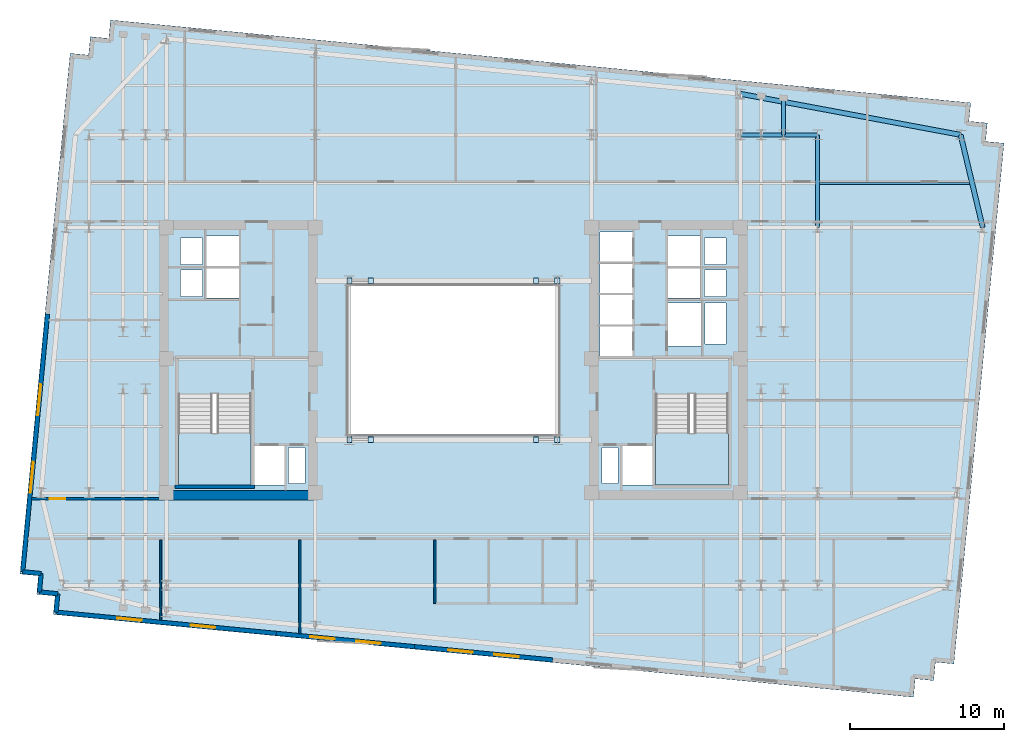
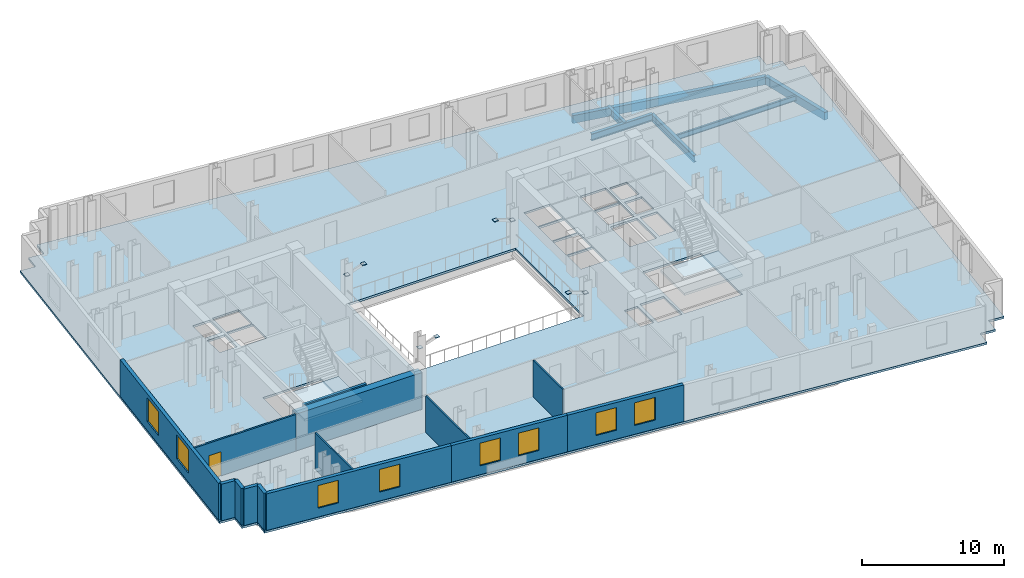
# One storey, part 3 of 9: 14 walls, 8 plates, 8 windows, 6 beams, 3 slabs, 1 door, 9 openings, 2 elements without a shape of their own.
"""IFC4 building model written with IfcOpenShell, lengths in metres."""

from ifc_helpers import new_model, si_unit, direction, frame, frame_2d, origin, origin_2d, place, context, subcontext, project, spatial, polyline, rectangle, i_section, outline, extrude, material, layer, layer_set, material_profile, profile_set, type_object, element, fill, aggregate, save


model = new_model("IFC4")

# Units and contexts
model_context = context("Model", 3, precision=1e-05, world=origin(), true_north=direction((0.0, 1.0)))
body_context = subcontext(model_context, "Body", "Model", "MODEL_VIEW")
ifc_project = project(units=[si_unit("LENGTHUNIT", "METRE"), si_unit("AREAUNIT", "SQUARE_METRE"), si_unit("VOLUMEUNIT", "CUBIC_METRE"), si_unit("PLANEANGLEUNIT", "RADIAN"), si_unit("MASSUNIT", "GRAM", prefix="KILO")], contexts=[model_context])

# Site, building, storey
site_placement = place(None, origin())
site = spatial("IfcSite", under=ifc_project, at=site_placement, CompositionType="ELEMENT")
building_placement = place(site_placement, origin())
building = spatial("IfcBuilding", under=site, at=building_placement, Name="Velakula Bourse", CompositionType="ELEMENT")
storey_placement = place(building_placement, frame((0.0, 0.0, 191.449951171875)))
storey = spatial("IfcBuildingStorey", under=building, at=storey_placement, Name="L52", CompositionType="ELEMENT", Elevation=191.449951171875)

# Beams
ifc_material_1 = material(Name="Steel IS 2062 Grade 350 (E350)", Category="steel")
ifc_material_profile_1 = material_profile(ifc_material_1, i_section(OverallWidth=0.25, OverallDepth=0.60009765625, WebThickness=0.01123046875, FlangeThickness=0.021240234375, at=origin_2d()), Name="Steel IS 2062 Grade 350 (E350)")
ifc_profile_set_1 = profile_set([ifc_material_profile_1], Name="Steel IS 2062 Grade 350 (E350)")
beam_type_1 = type_object("IfcBeamType", Name="BM-GRD-600M", PredefinedType="BEAM", material=ifc_profile_set_1)
beam_1_placement = place(storey_placement, frame((18.60009765625, 14.60009765625, -0.47998046875), z_axis=(1.0, 0.0, 0.0), x_axis=(0.0, 1.0, 0.0)))
element("IfcBeam", 1, at=beam_1_placement, inside=storey, type_object=beam_type_1, Name="L52 Fulcrum Grid Girder MWG-EN2", PredefinedType="BEAM", context=body_context, shape_type="SweptSolid", body=[
    extrude(i_section(OverallWidth=0.25, OverallDepth=0.60009765625, WebThickness=0.01123046875, FlangeThickness=0.021240234375, at=origin_2d()), origin(), (0.0, 0.0, 1.0), 5.0),
])
beam_2_placement = place(storey_placement, frame((23.60009765625, 8.60009765625, -0.47998046875), z_axis=(0.0, 1.0, 0.0), x_axis=(-1.0, 0.0, 0.0)))
element("IfcBeam", 2, at=beam_2_placement, inside=storey, type_object=beam_type_1, Name="L52 Fulcrum Grid Girder MWG-ENS3", PredefinedType="BEAM", context=body_context, shape_type="SweptSolid", body=[
    extrude(i_section(OverallWidth=0.25, OverallDepth=0.60009765625, WebThickness=0.01123046875, FlangeThickness=0.021240234375, at=origin_2d()), origin(), (0.0, 0.0, 1.0), 6.0),
])
beam_3_placement = place(storey_placement, frame((21.39990234375, 14.60009765625, -0.47998046875), z_axis=(0.0, 1.0, 0.0), x_axis=(-1.0, 0.0, 0.0)))
element("IfcBeam", 3, at=beam_3_placement, inside=storey, type_object=beam_type_1, Name="L52 Perimeter Tie Girder P08", PredefinedType="BEAM", context=body_context, shape_type="SweptSolid", body=[
    extrude(i_section(OverallWidth=0.25, OverallDepth=0.60009765625, WebThickness=0.01123046875, FlangeThickness=0.021240234375, at=origin_2d()), origin(), (0.0, 0.0, 1.0), 2.390869140625),
])
ifc_material_profile_2 = material_profile(ifc_material_1, i_section(OverallWidth=0.14990234375, OverallDepth=0.449951171875, WebThickness=0.009521484375, FlangeThickness=0.017333984375, at=origin_2d()), Name="Steel IS 2062 Grade 350 (E350)")
ifc_profile_set_2 = profile_set([ifc_material_profile_2], Name="Steel IS 2062 Grade 350 (E350)")
beam_type_2 = type_object("IfcBeamType", Name="JST-TWR-450", PredefinedType="JOIST", material=ifc_profile_set_2)
beam_4_placement = place(storey_placement, frame((23.72509765625, 11.449951171875, -0.405029296875), z_axis=(1.0, 0.0, 0.0), x_axis=(0.0, 1.0, 0.0)))
element("IfcBeam", 4, at=beam_4_placement, inside=storey, type_object=beam_type_2, Name="L52 Trading Floor Composite Joist 16", PredefinedType="JOIST", context=body_context, shape_type="SweptSolid", body=[
    extrude(i_section(OverallWidth=0.14990234375, OverallDepth=0.449951171875, WebThickness=0.009521484375, FlangeThickness=0.017333984375, at=origin_2d()), origin(), (0.0, 0.0, 1.0), 9.735595703125),
])
ifc_material_2 = material(Name="Precast concrete M45 (fck 45 MPa)", Category="concrete")
ifc_material_profile_3 = material_profile(ifc_material_2, rectangle(XDim=0.320068359375, YDim=0.679931640625, at=origin_2d()), Name="Precast concrete M45 (fck 45 MPa)")
ifc_profile_set_3 = profile_set([ifc_material_profile_3], Name="Precast concrete M45 (fck 45 MPa)")
beam_type_3 = type_object("IfcBeamType", Name="SPN-BRICK-680", PredefinedType="SPANDREL", material=ifc_profile_set_3)
beam_5_placement = place(storey_placement, frame((34.30517578125, 8.60009765625, -0.52001953125), z_axis=(-0.232091371601, 0.972693988482, 0.0), x_axis=(-0.972693988482, -0.232091371601, 0.0)))
element("IfcBeam", 5, at=beam_5_placement, inside=storey, type_object=beam_type_3, Name="L52 Brick-Faced Precast Spandrel E3-E4", PredefinedType="SPANDREL", context=body_context, shape_type="SweptSolid", body=[
    extrude(rectangle(XDim=0.320068359375, YDim=0.679931640625, at=origin_2d()), origin(), (0.0, 0.0, 1.0), 6.16845703125),
])
beam_6_placement = place(storey_placement, frame((32.87353515625, 14.60009765625, -0.52001953125), z_axis=(-0.983069592122, 0.183232576378, 0.0), x_axis=(-0.183232576378, -0.983069592122, 0.0)))
element("IfcBeam", 6, at=beam_6_placement, inside=storey, type_object=beam_type_3, Name="L52 Brick-Faced Precast Spandrel E4-N4", PredefinedType="SPANDREL", context=body_context, shape_type="SweptSolid", body=[
    extrude(rectangle(XDim=0.320068359375, YDim=0.679931640625, at=origin_2d()), origin(), (0.0, 0.0, 1.0), 14.519287109375),
])

# Plates
ifc_layer_1 = layer(ifc_material_1, 0.0400390625, Name="Steel IS 2062 Grade 350 (E350)", Category="steel")
ifc_layer_set_1 = layer_set([ifc_layer_1], Name="Steel IS 2062 Grade 350 (E350)")
plate_type = type_object("IfcPlateType", Name="PLT-ENDCAP-340", PredefinedType="USERDEFINED", material=ifc_layer_set_1)
for number, where, z_axis, x_axis, name in (
    (7, (-6.738525390625, -5.14990234375, 2.23388671875), (0.0, 0.0, 1.0), (1.0, 0.0, 0.0), "L52 Atrium Skylight Lantern Knee Brace 1 hollow end cap plate 1"),
    (8, (-5.361328125, -5.14990234375, 2.6962890625), (0.0, 0.0, 1.0), (1.0, 0.0, 0.0), "L52 Atrium Skylight Lantern Knee Brace 1 hollow end cap plate 2"),
    (9, (6.738525390625, -5.14990234375, 2.23388671875), (0.0, 0.0, 1.0), (-1.0, 0.0, 0.0), "L52 Atrium Skylight Lantern Knee Brace 2 hollow end cap plate 1"),
    (10, (5.361328125, -5.14990234375, 2.6962890625), (0.0, 0.0, 1.0), (-1.0, 0.0, 0.0), "L52 Atrium Skylight Lantern Knee Brace 2 hollow end cap plate 2"),
    (11, (6.738525390625, 5.14990234375, 2.23388671875), (0.0, 0.0, 1.0), (-1.0, 0.0, 0.0), "L52 Atrium Skylight Lantern Knee Brace 3 hollow end cap plate 1"),
    (12, (5.361328125, 5.14990234375, 2.6962890625), (0.0, 0.0, 1.0), (-1.0, 0.0, 0.0), "L52 Atrium Skylight Lantern Knee Brace 3 hollow end cap plate 2"),
    (13, (-6.738525390625, 5.14990234375, 2.23388671875), (0.0, 0.0, 1.0), (1.0, 0.0, 0.0), "L52 Atrium Skylight Lantern Knee Brace 4 hollow end cap plate 1"),
    (14, (-5.361328125, 5.14990234375, 2.6962890625), (0.0, 0.0, 1.0), (1.0, 0.0, 0.0), "L52 Atrium Skylight Lantern Knee Brace 4 hollow end cap plate 2"),
):
    element("IfcPlate", number, at=place(storey_placement, frame(where, z_axis=z_axis, x_axis=x_axis)), inside=storey, type_object=plate_type, Name=name, ObjectType="GUSSET PLATE", PredefinedType="USERDEFINED", context=body_context, shape_type="SweptSolid", body=[
        extrude(rectangle(XDim=0.340087890625, YDim=0.340087890625, at=origin_2d()), origin(), (0.0, 0.0, 1.0), 0.0400390625),
    ])

# Stair, slab
ifc_material_3 = material(Name="Concrete M45 (fck 45 MPa)", Category="concrete")
stair_type = type_object("IfcStairType", Name="STR-DOG-390", PredefinedType="HALF_TURN_STAIR", material=ifc_material_3)
stair_1_placement = place(storey_placement, origin())
stair_1 = element("IfcStair", 15, at=stair_1_placement, inside=storey, type_object=stair_type, Name="L52 West Core Exit Stair ST-W1", PredefinedType="HALF_TURN_STAIR")
ifc_layer_2 = layer(ifc_material_3, 0.199951171875, Name="Concrete M45 (fck 45 MPa)", Category="concrete")
ifc_layer_set_2 = layer_set([ifc_layer_2], Name="Concrete M45 (fck 45 MPa)")
slab_type_1 = type_object("IfcSlabType", Name="SLB-STAIR-LND-200", PredefinedType="LANDING", material=ifc_layer_set_2)
slab_1_placement = place(storey_placement, frame((0.0, 0.0, 1.525146484375)))
slab_1 = element("IfcSlab", 16, at=slab_1_placement, type_object=slab_type_1, Name="ST-W1 landing 1", PredefinedType="LANDING", context=body_context, shape_type="SweptSolid", body=[
    extrude(outline(polyline([(-17.820068359375, -4.719970703125), (-17.820068359375, -8.10009765625), (-13.10009765625, -8.10009765625), (-13.10009765625, -4.719970703125), (-17.820068359375, -4.719970703125)])), origin(), (0.0, 0.0, 1.0), 0.199951171875),
])
aggregate(stair_1, [slab_1])

stair_2_placement = place(storey_placement, origin())
stair_2 = element("IfcStair", 17, at=stair_2_placement, inside=storey, type_object=stair_type, Name="L52 East Core Exit Stair ST-E1", PredefinedType="HALF_TURN_STAIR")
slab_2_placement = place(storey_placement, frame((0.0, 0.0, 1.525146484375)))
slab_2 = element("IfcSlab", 18, at=slab_2_placement, type_object=slab_type_1, Name="ST-E1 landing 1", PredefinedType="LANDING", context=body_context, shape_type="SweptSolid", body=[
    extrude(outline(polyline([(13.10009765625, -4.719970703125), (13.10009765625, -8.10009765625), (17.820068359375, -8.10009765625), (17.820068359375, -4.719970703125), (13.10009765625, -4.719970703125)])), origin(), (0.0, 0.0, 1.0), 0.199951171875),
])
aggregate(stair_2, [slab_2])

# Slab
ifc_material_4 = material(Name="Concrete M50 (fck 50 MPa)", Category="concrete")
ifc_layer_3 = layer(ifc_material_4, 0.179931640625, Name="Concrete M50 (fck 50 MPa)", Category="concrete")
ifc_layer_set_3 = layer_set([ifc_layer_3], Name="Concrete M50 (fck 50 MPa)")
slab_type_2 = type_object("IfcSlabType", Name="SLB-TWR-180", PredefinedType="FLOOR", material=ifc_layer_set_3)
slab_3_placement = place(storey_placement, frame((0.0, 0.0, -0.179931640625)))
element("IfcSlab", 19, at=slab_3_placement, inside=storey, type_object=slab_type_2, Name="L52 Suspended Structural Floor Slab", PredefinedType="FLOOR", context=body_context, shape_type="SweptSolid", body=[
    extrude(outline(polyline([(-25.92578125, -16.477294921875), (29.81640625, -21.844482421875), (29.931396484375, -20.650146484375), (31.1259765625, -20.76513671875), (31.240966796875, -19.570556640625), (32.435546875, -19.685791015625), (35.6845703125, 14.058349609375), (34.490234375, 14.17333984375), (34.605224609375, 15.36767578125), (33.41064453125, 15.482666015625), (33.525634765625, 16.67724609375), (-22.216552734375, 22.044677734375), (-22.33154296875, 20.85009765625), (-23.52587890625, 20.965087890625), (-23.640869140625, 19.770751953125), (-24.83544921875, 19.8857421875), (-28.084716796875, -13.858154296875), (-26.89013671875, -13.973388671875), (-27.005126953125, -15.167724609375), (-25.810791015625, -15.28271484375), (-25.92578125, -16.477294921875)]), holes=[polyline([(-17.820068359375, -8.10009765625), (-13.10009765625, -8.10009765625), (-13.10009765625, -2.199951171875), (-17.820068359375, -2.199951171875), (-17.820068359375, -8.10009765625)]), polyline([(13.10009765625, -8.10009765625), (17.820068359375, -8.10009765625), (17.820068359375, -2.199951171875), (13.10009765625, -2.199951171875), (13.10009765625, -8.10009765625)]), polyline([(-12.89990234375, -8.10009765625), (-10.949951171875, -8.10009765625), (-10.949951171875, -5.550048828125), (-12.89990234375, -5.550048828125), (-12.89990234375, -8.10009765625)]), polyline([(10.949951171875, -8.10009765625), (12.89990234375, -8.10009765625), (12.89990234375, -5.550048828125), (10.949951171875, -5.550048828125), (10.949951171875, -8.10009765625)]), polyline([(13.89990234375, 0.919921875), (16.050048828125, 0.919921875), (16.050048828125, 3.719970703125), (13.89990234375, 3.719970703125), (13.89990234375, 0.919921875)]), polyline([(-10.679931640625, -7.97998046875), (-9.6201171875, -7.97998046875), (-9.6201171875, -5.669921875), (-10.679931640625, -5.669921875), (-10.679931640625, -7.97998046875)]), polyline([(-17.679931640625, 4.139892578125), (-16.27001953125, 4.139892578125), (-16.27001953125, 5.85009765625), (-17.679931640625, 5.85009765625), (-17.679931640625, 4.139892578125)]), polyline([(-17.679931640625, 6.2099609375), (-16.27001953125, 6.2099609375), (-16.27001953125, 7.919921875), (-17.679931640625, 7.919921875), (-17.679931640625, 6.2099609375)]), polyline([(9.6201171875, -7.97998046875), (10.679931640625, -7.97998046875), (10.679931640625, -5.669921875), (9.6201171875, -5.669921875), (9.6201171875, -7.97998046875)]), polyline([(16.27001953125, 4.139892578125), (17.679931640625, 4.139892578125), (17.679931640625, 5.85009765625), (16.27001953125, 5.85009765625), (16.27001953125, 4.139892578125)]), polyline([(16.27001953125, 6.2099609375), (17.679931640625, 6.2099609375), (17.679931640625, 7.919921875), (16.27001953125, 7.919921875), (16.27001953125, 6.2099609375)]), polyline([(16.320068359375, 1.0400390625), (17.679931640625, 1.0400390625), (17.679931640625, 3.699951171875), (16.320068359375, 3.699951171875), (16.320068359375, 1.0400390625)]), polyline([(9.5, 0.280029296875), (11.60009765625, 0.280029296875), (11.60009765625, 2.199951171875), (9.5, 2.199951171875), (9.5, 0.280029296875)]), polyline([(9.5, 2.31005859375), (11.60009765625, 2.31005859375), (11.60009765625, 4.22998046875), (9.5, 4.22998046875), (9.5, 2.31005859375)]), polyline([(9.5, 4.340087890625), (11.60009765625, 4.340087890625), (11.60009765625, 6.260009765625), (9.5, 6.260009765625), (9.5, 4.340087890625)]), polyline([(9.5, 6.3701171875), (11.60009765625, 6.3701171875), (11.60009765625, 8.2900390625), (9.5, 8.2900390625), (9.5, 6.3701171875)]), polyline([(-16.0, 4.02001953125), (-13.89990234375, 4.02001953125), (-13.89990234375, 5.969970703125), (-16.0, 5.969970703125), (-16.0, 4.02001953125)]), polyline([(-16.0, 6.090087890625), (-13.89990234375, 6.090087890625), (-13.89990234375, 8.0400390625), (-16.0, 8.0400390625), (-16.0, 6.090087890625)]), polyline([(13.89990234375, 4.02001953125), (16.0, 4.02001953125), (16.0, 5.969970703125), (13.89990234375, 5.969970703125), (13.89990234375, 4.02001953125)]), polyline([(13.89990234375, 6.090087890625), (16.0, 6.090087890625), (16.0, 8.0400390625), (13.89990234375, 8.0400390625), (13.89990234375, 6.090087890625)]), polyline([(-6.800048828125, -4.800048828125), (6.800048828125, -4.800048828125), (6.800048828125, 4.800048828125), (-6.800048828125, 4.800048828125), (-6.800048828125, -4.800048828125)])]), origin(), (0.0, 0.0, 1.0), 0.179931640625),
])

# Walls
ifc_layer_4 = layer(ifc_material_4, 0.2099609375, Name="Concrete M50 (fck 50 MPa)", Category="concrete")
ifc_layer_set_4 = layer_set([ifc_layer_4], Name="Concrete M50 (fck 50 MPa)")
wall_type_1 = type_object("IfcWallType", Name="WL-CORE-210", PredefinedType="SHEAR", material=ifc_layer_set_4)
wall_1_placement = place(storey_placement, frame((-18.030029296875, -8.205078125, 0.0), z_axis=(0.0, 0.0, 1.0), x_axis=(1.0, 0.0, 0.0)))
element("IfcWall", 20, at=wall_1_placement, inside=storey, type_object=wall_type_1, Name="L52 Core W Stairwell Shear Wall S", PredefinedType="SHEAR", context=body_context, shape_type="SweptSolid", body=[
    extrude(rectangle(XDim=5.14013671875, YDim=0.2099609375, at=frame_2d((2.570068359375, 0.0))), origin(), (0.0, 0.0, 1.0), 3.170166015625),
])
ifc_material_5 = material(Name="Concrete M70 (fck 70 MPa)", Category="concrete")
ifc_layer_5 = layer(ifc_material_5, 0.60009765625, Name="Concrete M70 (fck 70 MPa)", Category="concrete")
ifc_layer_set_5 = layer_set([ifc_layer_5], Name="Concrete M70 (fck 70 MPa)")
wall_type_2 = type_object("IfcWallType", Name="WL-CORE-600", PredefinedType="SHEAR", material=ifc_layer_set_5)
wall_2_placement = place(storey_placement, frame((-19.050048828125, -8.75, 0.0), z_axis=(0.0, 0.0, 1.0), x_axis=(1.0, 0.0, 0.0)))
element("IfcWall", 21, at=wall_2_placement, inside=storey, type_object=wall_type_2, Name="L52 Core W Shear Wall S", PredefinedType="SHEAR", context=body_context, shape_type="SweptSolid", body=[
    extrude(rectangle(XDim=10.25, YDim=0.60009765625, at=frame_2d((5.125, 0.0))), origin(), (0.0, 0.0, 1.0), 3.170166015625),
])

# Wall, openings, windows
ifc_material_6 = material(Name="Red kilned clay facing brick masonry", Category="masonry")
ifc_layer_6 = layer(ifc_material_6, 0.280029296875, Name="Red kilned clay facing brick masonry", Category="masonry")
ifc_layer_set_6 = layer_set([ifc_layer_6], Name="Red kilned clay facing brick masonry")
wall_type_3 = type_object("IfcWallType", Name="WL-EXT-BRK-280", PredefinedType="STANDARD", material=ifc_layer_set_6)
wall_3_placement = place(storey_placement, frame((-11.47705078125, -17.707763671875, 0.0), z_axis=(0.0, 0.0, 1.0), x_axis=(-0.995395762701, 0.095850276977, 0.0)))
wall_3 = element("IfcWall", 22, at=wall_3_placement, inside=storey, type_object=wall_type_3, Name="L52 S Brick Spandrel Wall B1", PredefinedType="STANDARD", context=body_context, shape_type="SweptSolid", body=[
    extrude(rectangle(XDim=14.340087890625, YDim=0.280029296875, at=frame_2d((7.169921875, 0.0))), origin(), (0.0, 0.0, 1.0), 3.150146484375),
])
opening_1_placement = place(wall_3_placement, frame((3.97998046875, 0.0, 0.760009765625)))
opening_1 = element("IfcOpeningElement", 23, at=opening_1_placement, cuts=wall_3, Name="Opening W-02", PredefinedType="OPENING", context=body_context, shape_type="SweptSolid", body=[
    extrude(rectangle(XDim=1.60009765625, YDim=1.949951171875, at=frame_2d((0.800048828125, 0.97509765625))), frame((0.0, 0.14990234375, 0.0), z_axis=(0.0, -1.0, 0.0), x_axis=(1.0, 0.0, 0.0)), (0.0, 0.0, 1.0), 0.300048828125),
])
opening_2_placement = place(wall_3_placement, frame((8.760009765625, 0.0, 0.760009765625)))
opening_2 = element("IfcOpeningElement", 24, at=opening_2_placement, cuts=wall_3, Name="Opening W-02", PredefinedType="OPENING", context=body_context, shape_type="SweptSolid", body=[
    extrude(rectangle(XDim=1.60009765625, YDim=1.949951171875, at=frame_2d((0.800048828125, 0.97509765625))), frame((0.0, 0.14990234375, 0.0), z_axis=(0.0, -1.0, 0.0), x_axis=(1.0, 0.0, 0.0)), (0.0, 0.0, 1.0), 0.300048828125),
])
ifc_material_7 = material(Name="Double-glazed solar-control Low-E glass", Category="glass")
window_type_1 = type_object("IfcWindowType", Name="WIN-TWR-1600x2100", PartitioningType="SINGLE_PANEL", PredefinedType="WINDOW", material=ifc_material_7)
window_1_placement = place(opening_1_placement, origin())
window_1 = element("IfcWindow", 25, at=window_1_placement, inside=storey, type_object=window_type_1, Name="L52 Deep-Set Recessed Window 1", OverallHeight=1.949951171875, OverallWidth=1.60009765625, PartitioningType="SINGLE_PANEL", PredefinedType="WINDOW", context=body_context, shape_type="SweptSolid", body=[
    extrude(rectangle(XDim=1.60009765625, YDim=1.949951171875, at=frame_2d((0.800048828125, 0.97509765625))), frame((0.0, 0.030029296875, 0.0), z_axis=(0.0, -1.0, 0.0), x_axis=(1.0, 0.0, 0.0)), (0.0, 0.0, 1.0), 0.06005859375),
])
fill(opening_1, window_1)
window_2_placement = place(opening_2_placement, origin())
window_2 = element("IfcWindow", 26, at=window_2_placement, inside=storey, type_object=window_type_1, Name="L52 Deep-Set Recessed Window 2", OverallHeight=1.949951171875, OverallWidth=1.60009765625, PartitioningType="SINGLE_PANEL", PredefinedType="WINDOW", context=body_context, shape_type="SweptSolid", body=[
    extrude(rectangle(XDim=1.60009765625, YDim=1.949951171875, at=frame_2d((0.800048828125, 0.97509765625))), frame((0.0, 0.030029296875, 0.0), z_axis=(0.0, -1.0, 0.0), x_axis=(1.0, 0.0, 0.0)), (0.0, 0.0, 1.0), 0.06005859375),
])
fill(opening_2, window_2)

wall_4_placement = place(storey_placement, frame((-2.5185546875, -18.5703125, 0.0), z_axis=(0.0, 0.0, 1.0), x_axis=(-0.995396794462, 0.09583956164, 0.0)))
wall_4 = element("IfcWall", 27, at=wall_4_placement, inside=storey, type_object=wall_type_3, Name="L52 S Brick Spandrel Wall B2", PredefinedType="STANDARD", context=body_context, shape_type="SweptSolid", body=[
    extrude(rectangle(XDim=9.0, YDim=0.280029296875, at=frame_2d((4.5, 0.0))), origin(), (0.0, 0.0, 1.0), 3.150146484375),
])
opening_3_placement = place(wall_4_placement, frame((2.199951171875, 0.0, 0.760009765625)))
opening_3 = element("IfcOpeningElement", 28, at=opening_3_placement, cuts=wall_4, Name="Opening W-02", PredefinedType="OPENING", context=body_context, shape_type="SweptSolid", body=[
    extrude(rectangle(XDim=1.60009765625, YDim=1.949951171875, at=frame_2d((0.800048828125, 0.97509765625))), frame((0.0, 0.14990234375, 0.0), z_axis=(0.0, -1.0, 0.0), x_axis=(1.0, 0.0, 0.0)), (0.0, 0.0, 1.0), 0.300048828125),
])
opening_4_placement = place(wall_4_placement, frame((5.199951171875, 0.0, 0.760009765625)))
opening_4 = element("IfcOpeningElement", 29, at=opening_4_placement, cuts=wall_4, Name="Opening W-02", PredefinedType="OPENING", context=body_context, shape_type="SweptSolid", body=[
    extrude(rectangle(XDim=1.60009765625, YDim=1.949951171875, at=frame_2d((0.800048828125, 0.97509765625))), frame((0.0, 0.14990234375, 0.0), z_axis=(0.0, -1.0, 0.0), x_axis=(1.0, 0.0, 0.0)), (0.0, 0.0, 1.0), 0.300048828125),
])
window_3_placement = place(opening_3_placement, origin())
window_3 = element("IfcWindow", 30, at=window_3_placement, inside=storey, type_object=window_type_1, Name="L52 Deep-Set Recessed Window 1", OverallHeight=1.949951171875, OverallWidth=1.60009765625, PartitioningType="SINGLE_PANEL", PredefinedType="WINDOW", context=body_context, shape_type="SweptSolid", body=[
    extrude(rectangle(XDim=1.60009765625, YDim=1.949951171875, at=frame_2d((0.800048828125, 0.97509765625))), frame((0.0, 0.030029296875, 0.0), z_axis=(0.0, -1.0, 0.0), x_axis=(1.0, 0.0, 0.0)), (0.0, 0.0, 1.0), 0.06005859375),
])
fill(opening_3, window_3)
window_4_placement = place(opening_4_placement, origin())
window_4 = element("IfcWindow", 31, at=window_4_placement, inside=storey, type_object=window_type_1, Name="L52 Deep-Set Recessed Window 2", OverallHeight=1.949951171875, OverallWidth=1.60009765625, PartitioningType="SINGLE_PANEL", PredefinedType="WINDOW", context=body_context, shape_type="SweptSolid", body=[
    extrude(rectangle(XDim=1.60009765625, YDim=1.949951171875, at=frame_2d((0.800048828125, 0.97509765625))), frame((0.0, 0.030029296875, 0.0), z_axis=(0.0, -1.0, 0.0), x_axis=(1.0, 0.0, 0.0)), (0.0, 0.0, 1.0), 0.06005859375),
])
fill(opening_4, window_4)

wall_5_placement = place(storey_placement, frame((6.43994140625, -19.432861328125, 0.0), z_axis=(0.0, 0.0, 1.0), x_axis=(-0.995396794462, 0.09583956164, 0.0)))
wall_5 = element("IfcWall", 32, at=wall_5_placement, inside=storey, type_object=wall_type_3, Name="L52 S Brick Spandrel Wall B3", PredefinedType="STANDARD", context=body_context, shape_type="SweptSolid", body=[
    extrude(rectangle(XDim=9.0, YDim=0.280029296875, at=frame_2d((4.5, 0.0))), origin(), (0.0, 0.0, 1.0), 3.150146484375),
])
opening_5_placement = place(wall_5_placement, frame((2.199951171875, 0.0, 0.760009765625)))
opening_5 = element("IfcOpeningElement", 33, at=opening_5_placement, cuts=wall_5, Name="Opening W-02", PredefinedType="OPENING", context=body_context, shape_type="SweptSolid", body=[
    extrude(rectangle(XDim=1.60009765625, YDim=1.949951171875, at=frame_2d((0.800048828125, 0.97509765625))), frame((0.0, 0.14990234375, 0.0), z_axis=(0.0, -1.0, 0.0), x_axis=(1.0, 0.0, 0.0)), (0.0, 0.0, 1.0), 0.300048828125),
])
opening_6_placement = place(wall_5_placement, frame((5.199951171875, 0.0, 0.760009765625)))
opening_6 = element("IfcOpeningElement", 34, at=opening_6_placement, cuts=wall_5, Name="Opening W-02", PredefinedType="OPENING", context=body_context, shape_type="SweptSolid", body=[
    extrude(rectangle(XDim=1.60009765625, YDim=1.949951171875, at=frame_2d((0.800048828125, 0.97509765625))), frame((0.0, 0.14990234375, 0.0), z_axis=(0.0, -1.0, 0.0), x_axis=(1.0, 0.0, 0.0)), (0.0, 0.0, 1.0), 0.300048828125),
])
window_5_placement = place(opening_5_placement, origin())
window_5 = element("IfcWindow", 35, at=window_5_placement, inside=storey, type_object=window_type_1, Name="L52 Deep-Set Recessed Window 1", OverallHeight=1.949951171875, OverallWidth=1.60009765625, PartitioningType="SINGLE_PANEL", PredefinedType="WINDOW", context=body_context, shape_type="SweptSolid", body=[
    extrude(rectangle(XDim=1.60009765625, YDim=1.949951171875, at=frame_2d((0.800048828125, 0.97509765625))), frame((0.0, 0.030029296875, 0.0), z_axis=(0.0, -1.0, 0.0), x_axis=(1.0, 0.0, 0.0)), (0.0, 0.0, 1.0), 0.06005859375),
])
fill(opening_5, window_5)
window_6_placement = place(opening_6_placement, origin())
window_6 = element("IfcWindow", 36, at=window_6_placement, inside=storey, type_object=window_type_1, Name="L52 Deep-Set Recessed Window 2", OverallHeight=1.949951171875, OverallWidth=1.60009765625, PartitioningType="SINGLE_PANEL", PredefinedType="WINDOW", context=body_context, shape_type="SweptSolid", body=[
    extrude(rectangle(XDim=1.60009765625, YDim=1.949951171875, at=frame_2d((0.800048828125, 0.97509765625))), frame((0.0, 0.030029296875, 0.0), z_axis=(0.0, -1.0, 0.0), x_axis=(1.0, 0.0, 0.0)), (0.0, 0.0, 1.0), 0.06005859375),
])
fill(opening_6, window_6)

wall_6_placement = place(storey_placement, frame((-27.909912109375, -13.71435546875, 0.0), z_axis=(0.0, 0.0, 1.0), x_axis=(0.095839027265, 0.995396845913, 0.0)))
wall_6 = element("IfcWall", 37, at=wall_6_placement, inside=storey, type_object=wall_type_3, Name="L52 W Brick End Wall W1", PredefinedType="STANDARD", context=body_context, shape_type="SweptSolid", body=[
    extrude(rectangle(XDim=16.7900390625, YDim=0.280029296875, at=frame_2d((8.39501953125, 0.0))), origin(), (0.0, 0.0, 1.0), 3.150146484375),
])
opening_7_placement = place(wall_6_placement, frame((5.146728515625, 0.0, 0.760009765625)))
opening_7 = element("IfcOpeningElement", 38, at=opening_7_placement, cuts=wall_6, Name="Opening W-05", PredefinedType="OPENING", context=body_context, shape_type="SweptSolid", body=[
    extrude(rectangle(XDim=2.0, YDim=2.050048828125, at=frame_2d((1.0, 1.02490234375))), frame((0.0, 0.14990234375, 0.0), z_axis=(0.0, -1.0, 0.0), x_axis=(1.0, 0.0, 0.0)), (0.0, 0.0, 1.0), 0.300048828125),
])
opening_8_placement = place(wall_6_placement, frame((10.193359375, 0.0, 0.760009765625)))
opening_8 = element("IfcOpeningElement", 39, at=opening_8_placement, cuts=wall_6, Name="Opening W-05", PredefinedType="OPENING", context=body_context, shape_type="SweptSolid", body=[
    extrude(rectangle(XDim=2.0, YDim=2.050048828125, at=frame_2d((1.0, 1.02490234375))), frame((0.0, 0.14990234375, 0.0), z_axis=(0.0, -1.0, 0.0), x_axis=(1.0, 0.0, 0.0)), (0.0, 0.0, 1.0), 0.300048828125),
])
window_type_2 = type_object("IfcWindowType", Name="WIN-TWR-2000x2200", PartitioningType="DOUBLE_PANEL_VERTICAL", PredefinedType="WINDOW", material=ifc_material_7)
window_7_placement = place(opening_7_placement, origin())
window_7 = element("IfcWindow", 40, at=window_7_placement, inside=storey, type_object=window_type_2, Name="L52 Deep-Set Recessed Window 1", OverallHeight=2.050048828125, OverallWidth=2.0, PartitioningType="DOUBLE_PANEL_VERTICAL", PredefinedType="WINDOW", context=body_context, shape_type="SweptSolid", body=[
    extrude(rectangle(XDim=2.0, YDim=2.050048828125, at=frame_2d((1.0, 1.02490234375))), frame((0.0, 0.030029296875, 0.0), z_axis=(0.0, -1.0, 0.0), x_axis=(1.0, 0.0, 0.0)), (0.0, 0.0, 1.0), 0.06005859375),
])
fill(opening_7, window_7)
window_8_placement = place(opening_8_placement, origin())
window_8 = element("IfcWindow", 41, at=window_8_placement, inside=storey, type_object=window_type_2, Name="L52 Deep-Set Recessed Window 2", OverallHeight=2.050048828125, OverallWidth=2.0, PartitioningType="DOUBLE_PANEL_VERTICAL", PredefinedType="WINDOW", context=body_context, shape_type="SweptSolid", body=[
    extrude(rectangle(XDim=2.0, YDim=2.050048828125, at=frame_2d((1.0, 1.02490234375))), frame((0.0, 0.030029296875, 0.0), z_axis=(0.0, -1.0, 0.0), x_axis=(1.0, 0.0, 0.0)), (0.0, 0.0, 1.0), 0.06005859375),
])
fill(opening_8, window_8)

# Walls
wall_7_placement = place(storey_placement, frame((-27.909912109375, -13.71435546875, 0.0), z_axis=(0.0, 0.0, 1.0), x_axis=(0.995397091755, -0.095836473879, 0.0)))
element("IfcWall", 42, at=wall_7_placement, inside=storey, type_object=wall_type_3, Name="L52 Serrated Corner Brick Wall SW-1", PredefinedType="STANDARD", context=body_context, shape_type="SweptSolid", body=[
    extrude(rectangle(XDim=1.199951171875, YDim=0.280029296875, at=frame_2d((0.60009765625, 0.0))), origin(), (0.0, 0.0, 1.0), 3.150146484375),
])
for number, where, z_axis, x_axis, name in (
    (43, (-26.715576171875, -13.829345703125, 0.0), (0.0, 0.0, 1.0), (-0.095817067274, -0.995398960025, 0.0), "L52 Serrated Corner Brick Wall SW-2"),
    (44, (-26.83056640625, -15.02392578125, 0.0), (0.0, 0.0, 1.0), (0.995398960025, -0.095817067274, 0.0), "L52 Serrated Corner Brick Wall SW-3"),
):
    element("IfcWall", number, at=place(storey_placement, frame(where, z_axis=z_axis, x_axis=x_axis)), inside=storey, type_object=wall_type_3, Name=name, PredefinedType="STANDARD", context=body_context, shape_type="SweptSolid", body=[
        extrude(rectangle(XDim=1.2001953125, YDim=0.280029296875, at=frame_2d((0.60009765625, 0.0))), origin(), (0.0, 0.0, 1.0), 3.150146484375),
    ])
wall_8_placement = place(storey_placement, frame((-25.635986328125, -15.138916015625, 0.0), z_axis=(0.0, 0.0, 1.0), x_axis=(-0.096038073607, -0.995377661201, 0.0)))
element("IfcWall", 45, at=wall_8_placement, inside=storey, type_object=wall_type_3, Name="L52 Serrated Corner Brick Wall SW-4", PredefinedType="STANDARD", context=body_context, shape_type="SweptSolid", body=[
    extrude(rectangle(XDim=1.199951171875, YDim=0.280029296875, at=frame_2d((0.60009765625, 0.0))), origin(), (0.0, 0.0, 1.0), 3.150146484375),
])
ifc_material_8 = material(Name="Fire-rated double-layer gypsum drywall partition", Category="gypsum")
ifc_layer_7 = layer(ifc_material_8, 0.1201171875, Name="Fire-rated double-layer gypsum drywall partition", Category="gypsum")
ifc_layer_set_7 = layer_set([ifc_layer_7], Name="Fire-rated double-layer gypsum drywall partition")
wall_type_4 = type_object("IfcWallType", Name="WL-PART-120", PredefinedType="STANDARD", material=ifc_layer_set_7)
wall_9_placement = place(storey_placement, frame((-1.199951171875, -15.77001953125, 0.0), z_axis=(0.0, 0.0, 1.0), x_axis=(0.0, 1.0, 0.0)))
element("IfcWall", 46, at=wall_9_placement, inside=storey, type_object=wall_type_4, Name="L52 Interior Partition WL-WC-L52-V1", PredefinedType="STANDARD", context=body_context, shape_type="SweptSolid", body=[
    extrude(rectangle(XDim=4.130126953125, YDim=0.1201171875, at=frame_2d((2.06494140625, 0.0))), origin(), (0.0, 0.0, 1.0), 3.150146484375),
])
wall_10_placement = place(storey_placement, frame((-18.964111328125, -16.8662109375, 0.0), z_axis=(0.0, 0.0, 1.0), x_axis=(0.0, 1.0, 0.0)))
element("IfcWall", 47, at=wall_10_placement, inside=storey, type_object=wall_type_4, Name="L52 Interior Partition WL-INT-L52-SL-D5", PredefinedType="STANDARD", context=body_context, shape_type="SweptSolid", body=[
    extrude(rectangle(XDim=5.226318359375, YDim=0.1201171875, at=frame_2d((2.61328125, 0.0))), origin(), (0.0, 0.0, 1.0), 3.150146484375),
])
wall_11_placement = place(storey_placement, frame((-9.948974609375, -17.734375, 0.0), z_axis=(0.0, 0.0, 1.0), x_axis=(0.0, 1.0, 0.0)))
element("IfcWall", 48, at=wall_11_placement, inside=storey, type_object=wall_type_4, Name="L52 Interior Partition WL-INT-L52-SL-D6", PredefinedType="STANDARD", context=body_context, shape_type="SweptSolid", body=[
    extrude(rectangle(XDim=6.094482421875, YDim=0.1201171875, at=frame_2d((3.04736328125, 0.0))), origin(), (0.0, 0.0, 1.0), 3.150146484375),
])

# Wall, opening, door
ifc_layer_8 = layer(ifc_material_8, 0.139892578125, Name="Fire-rated double-layer gypsum drywall partition", Category="gypsum")
ifc_layer_set_8 = layer_set([ifc_layer_8], Name="Fire-rated double-layer gypsum drywall partition")
wall_type_5 = type_object("IfcWallType", Name="WL-PART-140", PredefinedType="STANDARD", material=ifc_layer_set_8)
wall_12_placement = place(storey_placement, frame((-27.33349609375, -8.97998046875, 0.0), z_axis=(0.0, 0.0, 1.0), x_axis=(1.0, 0.0, 0.0)))
wall_12 = element("IfcWall", 49, at=wall_12_placement, inside=storey, type_object=wall_type_5, Name="L52 Interior Partition WL-INT-L52-W-SC", PredefinedType="STANDARD", context=body_context, shape_type="SweptSolid", body=[
    extrude(rectangle(XDim=8.283447265625, YDim=0.139892578125, at=frame_2d((4.1416015625, 0.0))), origin(), (0.0, 0.0, 1.0), 3.150146484375),
])
opening_9_placement = place(wall_12_placement, frame((1.17724609375, 0.0, 0.0)))
opening_9 = element("IfcOpeningElement", 50, at=opening_9_placement, cuts=wall_12, Name="Opening D-OF1", PredefinedType="OPENING", context=body_context, shape_type="SweptSolid", body=[
    extrude(rectangle(XDim=1.0, YDim=2.080078125, at=frame_2d((0.5, 1.0400390625))), frame((0.0, 0.079833984375, 0.0), z_axis=(0.0, -1.0, 0.0), x_axis=(1.0, 0.0, 0.0)), (0.0, 0.0, 1.0), 0.159912109375),
])
ifc_material_9 = material(Name="Fire-rated hardwood flush architectural door", Category="wood")
door_type = type_object("IfcDoorType", Name="DR-OFF-1000", OperationType="NOTDEFINED", PredefinedType="DOOR", material=ifc_material_9)
door_placement = place(opening_9_placement, origin())
door = element("IfcDoor", 51, at=door_placement, inside=storey, type_object=door_type, Name="L52 Market Data Feed Workspace Door", OperationType="SINGLE_SWING_RIGHT", OverallHeight=2.080078125, OverallWidth=1.0, PredefinedType="DOOR", context=body_context, shape_type="SweptSolid", body=[
    extrude(rectangle(XDim=1.0, YDim=2.080078125, at=frame_2d((0.5, 1.0400390625))), frame((0.0, 0.02490234375, 0.0), z_axis=(0.0, -1.0, 0.0), x_axis=(1.0, 0.0, 0.0)), (0.0, 0.0, 1.0), 0.050048828125),
])
fill(opening_9, door)

save(model, "model.ifc")
